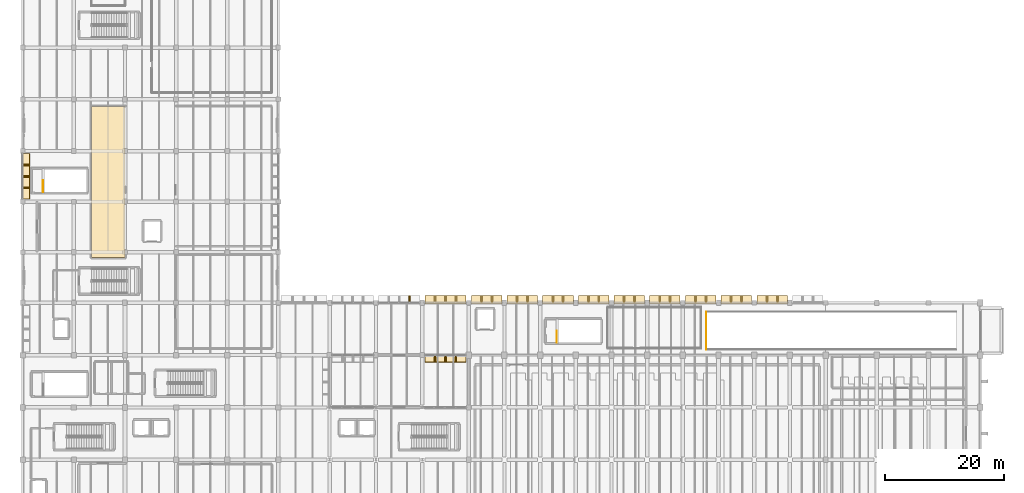
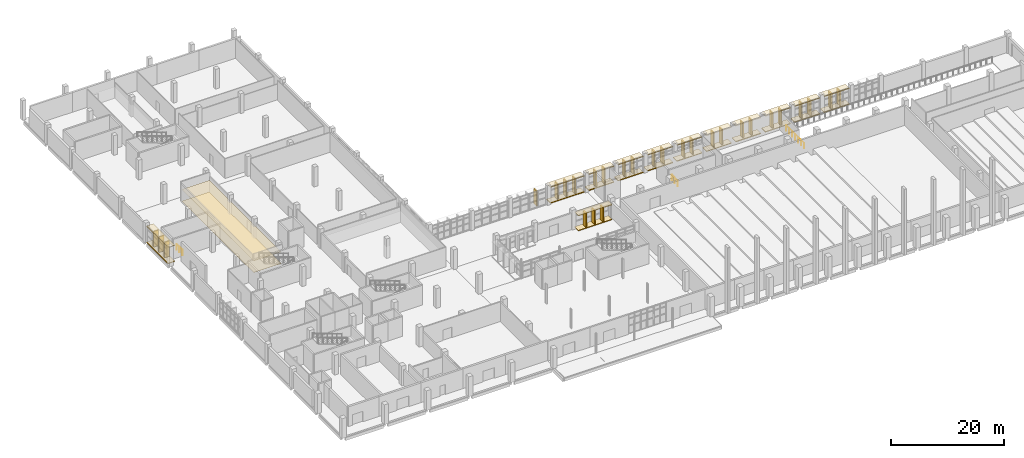
# One storey, part 72 of 76: 28 shading devices, 26 coverings, 3 railings.
"""IFC4 building model written with IfcOpenShell, lengths in metres."""

from ifc_helpers import new_model, si_unit, direction, frame, origin, origin_2d, place, context, subcontext, project, spatial, polyline, rectangle, circle, outline, extrude, material, layer, layer_set, type_object, element, save


model = new_model("IFC4")

# Units and contexts
model_context = context("Model", 3, precision=1e-05, world=origin(), true_north=direction((0.0, 1.0)))
body_context = subcontext(model_context, "Body", "Model", "MODEL_VIEW")
ifc_project = project(units=[si_unit("LENGTHUNIT", "METRE"), si_unit("AREAUNIT", "SQUARE_METRE"), si_unit("VOLUMEUNIT", "CUBIC_METRE"), si_unit("PLANEANGLEUNIT", "RADIAN"), si_unit("MASSUNIT", "GRAM", prefix="KILO")], contexts=[model_context])

# Site, building, storey
site_placement = place(None, origin())
site = spatial("IfcSite", under=ifc_project, at=site_placement, CompositionType="ELEMENT")
building_placement = place(site_placement, origin())
building = spatial("IfcBuilding", under=site, at=building_placement, Name="Varnakota Cinema and Media Centre", CompositionType="ELEMENT")
storey_placement = place(building_placement, origin())
storey = spatial("IfcBuildingStorey", under=building, at=storey_placement, Name="L00", CompositionType="ELEMENT", Elevation=0.0)

# Coverings
ifc_material_1 = material(Name="Autoclaved aerated concrete blockwork", Category="masonry")
ifc_layer_1 = layer(ifc_material_1, 0.06005859375)
ifc_layer_set_1 = layer_set([ifc_layer_1], Name="Autoclaved aerated concrete blockwork")
covering_type_1 = type_object("IfcCoveringType", Name="COV-ACOUST-CEIL-60", PredefinedType="CEILING", material=ifc_layer_set_1)
covering_1_placement = place(storey_placement, frame((0.0, 0.0, 2.5)))
element("IfcCovering", 1, at=covering_1_placement, inside=storey, type_object=covering_type_1, Name="L00 Foley and Acoustic Isolation Studio acoustic baffle ceiling", PredefinedType="CEILING", context=body_context, shape_type="SweptSolid", body=[
    extrude(outline(polyline([(11.60009765625, 51.60009765625), (17.199951171875, 51.60009765625), (17.199951171875, 77.0), (11.60009765625, 77.0), (11.60009765625, 51.60009765625)])), origin(), (0.0, 0.0, 1.0), 0.06005859375),
])
ifc_material_2 = material(Name="Precast concrete M40", Category="concrete")
ifc_layer_2 = layer(ifc_material_2, 0.159912109375)
ifc_layer_set_2 = layer_set([ifc_layer_2], Name="Precast concrete M40")
covering_type_2 = type_object("IfcCoveringType", Name="COV-CHAJJA-160", PredefinedType="CLADDING", material=ifc_layer_set_2)
covering_2_placement = place(storey_placement, frame((0.0, 0.0, 3.425048828125)))
element("IfcCovering", 2, at=covering_2_placement, inside=storey, type_object=covering_type_2, Name="L00 Brutalist chajja overhang V1-N-1", PredefinedType="CLADDING", context=body_context, shape_type="SweptSolid", body=[
    extrude(outline(polyline([(75.43994140625, 43.820068359375), (80.5849609375, 43.820068359375), (80.5849609375, 45.219970703125), (75.43994140625, 45.219970703125), (75.43994140625, 43.820068359375)])), origin(), (0.0, 0.0, 1.0), 0.159912109375),
])
covering_3_placement = place(storey_placement, origin())
element("IfcCovering", 3, at=covering_3_placement, inside=storey, type_object=covering_type_2, Name="L00 brise-soleil base plinth V1-N-1", PredefinedType="CLADDING", context=body_context, shape_type="SweptSolid", body=[
    extrude(outline(polyline([(75.43994140625, 43.820068359375), (80.5849609375, 43.820068359375), (80.5849609375, 45.179931640625), (75.43994140625, 45.179931640625), (75.43994140625, 43.820068359375)])), origin(), (0.0, 0.0, 1.0), 0.159912109375),
])
covering_4_placement = place(storey_placement, frame((0.0, 0.0, 3.425048828125)))
element("IfcCovering", 4, at=covering_4_placement, inside=storey, type_object=covering_type_2, Name="L00 Brutalist chajja overhang V1-N-2", PredefinedType="CLADDING", context=body_context, shape_type="SweptSolid", body=[
    extrude(outline(polyline([(81.4150390625, 43.820068359375), (86.56005859375, 43.820068359375), (86.56005859375, 45.219970703125), (81.4150390625, 45.219970703125), (81.4150390625, 43.820068359375)])), origin(), (0.0, 0.0, 1.0), 0.159912109375),
])
covering_5_placement = place(storey_placement, origin())
element("IfcCovering", 5, at=covering_5_placement, inside=storey, type_object=covering_type_2, Name="L00 brise-soleil base plinth V1-N-2", PredefinedType="CLADDING", context=body_context, shape_type="SweptSolid", body=[
    extrude(outline(polyline([(81.4150390625, 43.820068359375), (86.56005859375, 43.820068359375), (86.56005859375, 45.179931640625), (81.4150390625, 45.179931640625), (81.4150390625, 43.820068359375)])), origin(), (0.0, 0.0, 1.0), 0.159912109375),
])
covering_6_placement = place(storey_placement, frame((0.0, 0.0, 3.425048828125)))
element("IfcCovering", 6, at=covering_6_placement, inside=storey, type_object=covering_type_2, Name="L00 Brutalist chajja overhang V1-N-3", PredefinedType="CLADDING", context=body_context, shape_type="SweptSolid", body=[
    extrude(outline(polyline([(87.43994140625, 43.820068359375), (92.5849609375, 43.820068359375), (92.5849609375, 45.219970703125), (87.43994140625, 45.219970703125), (87.43994140625, 43.820068359375)])), origin(), (0.0, 0.0, 1.0), 0.159912109375),
])
covering_7_placement = place(storey_placement, origin())
element("IfcCovering", 7, at=covering_7_placement, inside=storey, type_object=covering_type_2, Name="L00 brise-soleil base plinth V1-N-3", PredefinedType="CLADDING", context=body_context, shape_type="SweptSolid", body=[
    extrude(outline(polyline([(87.43994140625, 43.820068359375), (92.5849609375, 43.820068359375), (92.5849609375, 45.179931640625), (87.43994140625, 45.179931640625), (87.43994140625, 43.820068359375)])), origin(), (0.0, 0.0, 1.0), 0.159912109375),
])
covering_8_placement = place(storey_placement, frame((0.0, 0.0, 3.425048828125)))
element("IfcCovering", 8, at=covering_8_placement, inside=storey, type_object=covering_type_2, Name="L00 Brutalist chajja overhang V1-N-4", PredefinedType="CLADDING", context=body_context, shape_type="SweptSolid", body=[
    extrude(outline(polyline([(93.4150390625, 43.820068359375), (98.56005859375, 43.820068359375), (98.56005859375, 45.219970703125), (93.4150390625, 45.219970703125), (93.4150390625, 43.820068359375)])), origin(), (0.0, 0.0, 1.0), 0.159912109375),
])
covering_9_placement = place(storey_placement, origin())
element("IfcCovering", 9, at=covering_9_placement, inside=storey, type_object=covering_type_2, Name="L00 brise-soleil base plinth V1-N-4", PredefinedType="CLADDING", context=body_context, shape_type="SweptSolid", body=[
    extrude(outline(polyline([(93.4150390625, 43.820068359375), (98.56005859375, 43.820068359375), (98.56005859375, 45.179931640625), (93.4150390625, 45.179931640625), (93.4150390625, 43.820068359375)])), origin(), (0.0, 0.0, 1.0), 0.159912109375),
])
covering_10_placement = place(storey_placement, frame((0.0, 0.0, 3.425048828125)))
element("IfcCovering", 10, at=covering_10_placement, inside=storey, type_object=covering_type_2, Name="L00 Brutalist chajja overhang V1-N-5", PredefinedType="CLADDING", context=body_context, shape_type="SweptSolid", body=[
    extrude(outline(polyline([(99.43994140625, 43.820068359375), (104.5849609375, 43.820068359375), (104.5849609375, 45.219970703125), (99.43994140625, 45.219970703125), (99.43994140625, 43.820068359375)])), origin(), (0.0, 0.0, 1.0), 0.159912109375),
])
covering_11_placement = place(storey_placement, origin())
element("IfcCovering", 11, at=covering_11_placement, inside=storey, type_object=covering_type_2, Name="L00 brise-soleil base plinth V1-N-5", PredefinedType="CLADDING", context=body_context, shape_type="SweptSolid", body=[
    extrude(outline(polyline([(99.43994140625, 43.820068359375), (104.5849609375, 43.820068359375), (104.5849609375, 45.179931640625), (99.43994140625, 45.179931640625), (99.43994140625, 43.820068359375)])), origin(), (0.0, 0.0, 1.0), 0.159912109375),
])
covering_12_placement = place(storey_placement, frame((0.0, 0.0, 3.425048828125)))
element("IfcCovering", 12, at=covering_12_placement, inside=storey, type_object=covering_type_2, Name="L00 Brutalist chajja overhang V1-N-6", PredefinedType="CLADDING", context=body_context, shape_type="SweptSolid", body=[
    extrude(outline(polyline([(105.4150390625, 43.820068359375), (110.56005859375, 43.820068359375), (110.56005859375, 45.219970703125), (105.4150390625, 45.219970703125), (105.4150390625, 43.820068359375)])), origin(), (0.0, 0.0, 1.0), 0.159912109375),
])
covering_13_placement = place(storey_placement, origin())
element("IfcCovering", 13, at=covering_13_placement, inside=storey, type_object=covering_type_2, Name="L00 brise-soleil base plinth V1-N-6", PredefinedType="CLADDING", context=body_context, shape_type="SweptSolid", body=[
    extrude(outline(polyline([(105.4150390625, 43.820068359375), (110.56005859375, 43.820068359375), (110.56005859375, 45.179931640625), (105.4150390625, 45.179931640625), (105.4150390625, 43.820068359375)])), origin(), (0.0, 0.0, 1.0), 0.159912109375),
])
covering_14_placement = place(storey_placement, frame((0.0, 0.0, 3.425048828125)))
element("IfcCovering", 14, at=covering_14_placement, inside=storey, type_object=covering_type_2, Name="L00 Brutalist chajja overhang V1-N-7", PredefinedType="CLADDING", context=body_context, shape_type="SweptSolid", body=[
    extrude(outline(polyline([(111.43994140625, 43.820068359375), (116.5849609375, 43.820068359375), (116.5849609375, 45.219970703125), (111.43994140625, 45.219970703125), (111.43994140625, 43.820068359375)])), origin(), (0.0, 0.0, 1.0), 0.159912109375),
])
covering_15_placement = place(storey_placement, origin())
element("IfcCovering", 15, at=covering_15_placement, inside=storey, type_object=covering_type_2, Name="L00 brise-soleil base plinth V1-N-7", PredefinedType="CLADDING", context=body_context, shape_type="SweptSolid", body=[
    extrude(outline(polyline([(111.43994140625, 43.820068359375), (116.5849609375, 43.820068359375), (116.5849609375, 45.179931640625), (111.43994140625, 45.179931640625), (111.43994140625, 43.820068359375)])), origin(), (0.0, 0.0, 1.0), 0.159912109375),
])
covering_16_placement = place(storey_placement, frame((0.0, 0.0, 3.425048828125)))
element("IfcCovering", 16, at=covering_16_placement, inside=storey, type_object=covering_type_2, Name="L00 Brutalist chajja overhang V1-N-8", PredefinedType="CLADDING", context=body_context, shape_type="SweptSolid", body=[
    extrude(outline(polyline([(117.4150390625, 43.820068359375), (122.56005859375, 43.820068359375), (122.56005859375, 45.219970703125), (117.4150390625, 45.219970703125), (117.4150390625, 43.820068359375)])), origin(), (0.0, 0.0, 1.0), 0.159912109375),
])
covering_17_placement = place(storey_placement, origin())
element("IfcCovering", 17, at=covering_17_placement, inside=storey, type_object=covering_type_2, Name="L00 brise-soleil base plinth V1-N-8", PredefinedType="CLADDING", context=body_context, shape_type="SweptSolid", body=[
    extrude(outline(polyline([(117.4150390625, 43.820068359375), (122.56005859375, 43.820068359375), (122.56005859375, 45.179931640625), (117.4150390625, 45.179931640625), (117.4150390625, 43.820068359375)])), origin(), (0.0, 0.0, 1.0), 0.159912109375),
])
covering_18_placement = place(storey_placement, frame((0.0, 0.0, 3.425048828125)))
element("IfcCovering", 18, at=covering_18_placement, inside=storey, type_object=covering_type_2, Name="L00 Brutalist chajja overhang V1-N-9", PredefinedType="CLADDING", context=body_context, shape_type="SweptSolid", body=[
    extrude(outline(polyline([(123.43994140625, 43.820068359375), (128.5849609375, 43.820068359375), (128.5849609375, 45.219970703125), (123.43994140625, 45.219970703125), (123.43994140625, 43.820068359375)])), origin(), (0.0, 0.0, 1.0), 0.159912109375),
])
covering_19_placement = place(storey_placement, origin())
element("IfcCovering", 19, at=covering_19_placement, inside=storey, type_object=covering_type_2, Name="L00 brise-soleil base plinth V1-N-9", PredefinedType="CLADDING", context=body_context, shape_type="SweptSolid", body=[
    extrude(outline(polyline([(123.43994140625, 43.820068359375), (128.5849609375, 43.820068359375), (128.5849609375, 45.179931640625), (123.43994140625, 45.179931640625), (123.43994140625, 43.820068359375)])), origin(), (0.0, 0.0, 1.0), 0.159912109375),
])
covering_20_placement = place(storey_placement, frame((0.0, 0.0, 3.425048828125)))
element("IfcCovering", 20, at=covering_20_placement, inside=storey, type_object=covering_type_2, Name="L00 Brutalist chajja overhang LINK-N-4", PredefinedType="CLADDING", context=body_context, shape_type="SweptSolid", body=[
    extrude(outline(polyline([(67.614990234375, 43.820068359375), (74.56005859375, 43.820068359375), (74.56005859375, 45.219970703125), (67.614990234375, 45.219970703125), (67.614990234375, 43.820068359375)])), origin(), (0.0, 0.0, 1.0), 0.159912109375),
])
covering_21_placement = place(storey_placement, origin())
element("IfcCovering", 21, at=covering_21_placement, inside=storey, type_object=covering_type_2, Name="L00 brise-soleil base plinth LINK-N-4", PredefinedType="CLADDING", context=body_context, shape_type="SweptSolid", body=[
    extrude(outline(polyline([(67.614990234375, 43.820068359375), (74.56005859375, 43.820068359375), (74.56005859375, 45.179931640625), (67.614990234375, 45.179931640625), (67.614990234375, 43.820068359375)])), origin(), (0.0, 0.0, 1.0), 0.159912109375),
])
covering_22_placement = place(storey_placement, frame((0.0, 0.0, 3.22509765625)))
element("IfcCovering", 22, at=covering_22_placement, inside=storey, type_object=covering_type_2, Name="L00 Brutalist chajja overhang LINK-S-1", PredefinedType="CLADDING", context=body_context, shape_type="SweptSolid", body=[
    extrude(outline(polyline([(74.510009765625, 35.3798828125), (67.639892578125, 35.3798828125), (67.639892578125, 33.97998046875), (74.510009765625, 33.97998046875), (74.510009765625, 35.3798828125)])), origin(), (0.0, 0.0, 1.0), 0.159912109375),
])
covering_23_placement = place(storey_placement, origin())
element("IfcCovering", 23, at=covering_23_placement, inside=storey, type_object=covering_type_2, Name="L00 brise-soleil base plinth LINK-S-1", PredefinedType="CLADDING", context=body_context, shape_type="SweptSolid", body=[
    extrude(outline(polyline([(74.510009765625, 35.3798828125), (67.639892578125, 35.3798828125), (67.639892578125, 34.02001953125), (74.510009765625, 34.02001953125), (74.510009765625, 35.3798828125)])), origin(), (0.0, 0.0, 1.0), 0.159912109375),
])
covering_24_placement = place(storey_placement, frame((0.0, 0.0, 3.47509765625)))
element("IfcCovering", 24, at=covering_24_placement, inside=storey, type_object=covering_type_2, Name="L00 Brutalist chajja overhang V5-W-N-2", PredefinedType="CLADDING", context=body_context, shape_type="SweptSolid", body=[
    extrude(outline(polyline([(-0.179931640625, 69.06005859375), (-0.179931640625, 61.465087890625), (1.219970703125, 61.465087890625), (1.219970703125, 69.06005859375), (-0.179931640625, 69.06005859375)])), origin(), (0.0, 0.0, 1.0), 0.159912109375),
])
covering_25_placement = place(storey_placement, origin())
element("IfcCovering", 25, at=covering_25_placement, inside=storey, type_object=covering_type_2, Name="L00 brise-soleil base plinth V5-W-N-2", PredefinedType="CLADDING", context=body_context, shape_type="SweptSolid", body=[
    extrude(outline(polyline([(-0.179931640625, 69.06005859375), (-0.179931640625, 61.465087890625), (1.179931640625, 61.465087890625), (1.179931640625, 69.06005859375), (-0.179931640625, 69.06005859375)])), origin(), (0.0, 0.0, 1.0), 0.159912109375),
])
ifc_material_3 = material(Name="Deccan grey granite ashlar", Category="masonry")
ifc_layer_3 = layer(ifc_material_3, 0.044921875)
ifc_layer_set_3 = layer_set([ifc_layer_3], Name="Deccan grey granite ashlar")
covering_type_3 = type_object("IfcCoveringType", Name="COV-STUDIO-FLR-45", PredefinedType="FLOORING", material=ifc_layer_set_3)
covering_26_placement = place(storey_placement, origin())
element("IfcCovering", 26, at=covering_26_placement, inside=storey, type_object=covering_type_3, Name="L00 Foley and Acoustic Isolation Studio isolated studio floor finish", PredefinedType="FLOORING", context=body_context, shape_type="SweptSolid", body=[
    extrude(outline(polyline([(11.60009765625, 51.60009765625), (17.199951171875, 51.60009765625), (17.199951171875, 77.0), (11.60009765625, 77.0), (11.60009765625, 51.60009765625)])), origin(), (0.0, 0.0, 1.0), 0.044921875),
])

# Railings
ifc_material_4 = material(Name="Anodised golden-bronze steel Grade 350 (E350)", Category="steel")
ifc_layer_4 = layer(ifc_material_4, 0.050048828125)
ifc_layer_set_4 = layer_set([ifc_layer_4], Name="Anodised golden-bronze steel Grade 350 (E350)")
railing_type_1 = type_object("IfcRailingType", Name="RAIL-GUARD-1150", PredefinedType="BALUSTRADE", material=ifc_layer_set_4)
railing_placement = place(storey_placement, frame((114.919921875, 36.14990234375, 0.0)))
element("IfcRailing", 27, at=railing_placement, inside=storey, type_object=railing_type_1, Name="L00 guard balustrade GRD-L00-RAMP-2", PredefinedType="BALUSTRADE", context=body_context, shape_type="SweptSolid", body=[
    extrude(circle(Radius=0.02392578125, at=origin_2d()), frame((0.0, 0.0, 1.1259765625), z_axis=(0.0, 1.0, 0.0), x_axis=(-1.0, 0.0, 0.0)), (0.0, 0.0, 1.0), 6.300048828125),
    extrude(circle(Radius=0.02099609375, at=origin_2d()), origin(), (0.0, 0.0, 1.0), 1.101806640625),
    extrude(circle(Radius=0.02099609375, at=origin_2d()), frame((0.0, 1.050048828125, 0.0)), (0.0, 0.0, 1.0), 1.101806640625),
    extrude(circle(Radius=0.02099609375, at=origin_2d()), frame((0.0, 2.10009765625, 0.0)), (0.0, 0.0, 1.0), 1.101806640625),
    extrude(circle(Radius=0.02099609375, at=origin_2d()), frame((0.0, 3.14990234375, 0.0)), (0.0, 0.0, 1.0), 1.101806640625),
    extrude(circle(Radius=0.02099609375, at=origin_2d()), frame((0.0, 4.199951171875, 0.0)), (0.0, 0.0, 1.0), 1.101806640625),
    extrude(circle(Radius=0.02099609375, at=origin_2d()), frame((0.0, 5.25, 0.0)), (0.0, 0.0, 1.0), 1.101806640625),
    extrude(circle(Radius=0.02099609375, at=origin_2d()), frame((0.0, 6.300048828125, 0.0)), (0.0, 0.0, 1.0), 1.101806640625),
])
ifc_material_5 = material(Name="Structural steel Grade 350 (E350)", Category="steel")
ifc_layer_5 = layer(ifc_material_5, 0.050048828125)
ifc_layer_set_5 = layer_set([ifc_layer_5], Name="Structural steel Grade 350 (E350)")
railing_type_2 = type_object("IfcRailingType", Name="RAIL-STAIR-GUARD-1150", PredefinedType="GUARDRAIL", material=ifc_layer_set_5)
for number, where, name in (
    (28, (89.800048828125, 37.300048828125, 0.0), "L00 ST-B2 top well guard 1"),
    (29, (3.39990234375, 62.60009765625, 0.0), "L00 ST-B3 top well guard 1"),
):
    element("IfcRailing", number, at=place(storey_placement, frame(where)), inside=storey, type_object=railing_type_2, Name=name, PredefinedType="GUARDRAIL", context=body_context, shape_type="SweptSolid", body=[
        extrude(circle(Radius=0.02392578125, at=origin_2d()), frame((0.0, 0.0, 1.1259765625), z_axis=(0.0, 1.0, 0.0), x_axis=(-1.0, 0.0, 0.0)), (0.0, 0.0, 1.0), 2.0),
        extrude(circle(Radius=0.02099609375, at=origin_2d()), origin(), (0.0, 0.0, 1.0), 1.101806640625),
        extrude(circle(Radius=0.02099609375, at=origin_2d()), frame((0.0, 1.0, 0.0)), (0.0, 0.0, 1.0), 1.101806640625),
        extrude(circle(Radius=0.02099609375, at=origin_2d()), frame((0.0, 2.0, 0.0)), (0.0, 0.0, 1.0), 1.101806640625),
    ])

# Shading devices
ifc_material_6 = material(Name="Precast concrete M40", Category="concrete")
shading_device_type = type_object("IfcShadingDeviceType", Name="SHD-BRISE-FIN-240", PredefinedType="JALOUSIE", material=ifc_material_6)
for number, where, z_axis, x_axis, name in (
    (30, (77.1416015625, 44.6298828125, 0.14990234375), (0.0, 0.0, 1.0), (1.0, 0.0, 0.0), "L00 vertical concrete brise-soleil fin V1-N-1.1"),
    (31, (78.88330078125, 44.6298828125, 0.14990234375), (0.0, 0.0, 1.0), (1.0, 0.0, 0.0), "L00 vertical concrete brise-soleil fin V1-N-1.2"),
    (32, (83.11669921875, 44.6298828125, 0.14990234375), (0.0, 0.0, 1.0), (1.0, 0.0, 0.0), "L00 vertical concrete brise-soleil fin V1-N-2.1"),
    (33, (84.8583984375, 44.6298828125, 0.14990234375), (0.0, 0.0, 1.0), (1.0, 0.0, 0.0), "L00 vertical concrete brise-soleil fin V1-N-2.2"),
    (34, (89.1416015625, 44.6298828125, 0.14990234375), (0.0, 0.0, 1.0), (1.0, 0.0, 0.0), "L00 vertical concrete brise-soleil fin V1-N-3.1"),
    (35, (90.88330078125, 44.6298828125, 0.14990234375), (0.0, 0.0, 1.0), (1.0, 0.0, 0.0), "L00 vertical concrete brise-soleil fin V1-N-3.2"),
    (36, (95.11669921875, 44.6298828125, 0.14990234375), (0.0, 0.0, 1.0), (1.0, 0.0, 0.0), "L00 vertical concrete brise-soleil fin V1-N-4.1"),
    (37, (96.8583984375, 44.6298828125, 0.14990234375), (0.0, 0.0, 1.0), (1.0, 0.0, 0.0), "L00 vertical concrete brise-soleil fin V1-N-4.2"),
    (38, (101.1416015625, 44.6298828125, 0.14990234375), (0.0, 0.0, 1.0), (1.0, 0.0, 0.0), "L00 vertical concrete brise-soleil fin V1-N-5.1"),
    (39, (102.88330078125, 44.6298828125, 0.14990234375), (0.0, 0.0, 1.0), (1.0, 0.0, 0.0), "L00 vertical concrete brise-soleil fin V1-N-5.2"),
    (40, (107.11669921875, 44.6298828125, 0.14990234375), (0.0, 0.0, 1.0), (1.0, 0.0, 0.0), "L00 vertical concrete brise-soleil fin V1-N-6.1"),
    (41, (108.8583984375, 44.6298828125, 0.14990234375), (0.0, 0.0, 1.0), (1.0, 0.0, 0.0), "L00 vertical concrete brise-soleil fin V1-N-6.2"),
    (42, (113.1416015625, 44.6298828125, 0.14990234375), (0.0, 0.0, 1.0), (1.0, 0.0, 0.0), "L00 vertical concrete brise-soleil fin V1-N-7.1"),
    (43, (114.88330078125, 44.6298828125, 0.14990234375), (0.0, 0.0, 1.0), (1.0, 0.0, 0.0), "L00 vertical concrete brise-soleil fin V1-N-7.2"),
    (44, (119.11669921875, 44.6298828125, 0.14990234375), (0.0, 0.0, 1.0), (1.0, 0.0, 0.0), "L00 vertical concrete brise-soleil fin V1-N-8.1"),
    (45, (120.8583984375, 44.6298828125, 0.14990234375), (0.0, 0.0, 1.0), (1.0, 0.0, 0.0), "L00 vertical concrete brise-soleil fin V1-N-8.2"),
    (46, (125.1416015625, 44.6298828125, 0.14990234375), (0.0, 0.0, 1.0), (1.0, 0.0, 0.0), "L00 vertical concrete brise-soleil fin V1-N-9.1"),
    (47, (126.88330078125, 44.6298828125, 0.14990234375), (0.0, 0.0, 1.0), (1.0, 0.0, 0.0), "L00 vertical concrete brise-soleil fin V1-N-9.2"),
    (48, (65.06884765625, 44.6298828125, 0.14990234375), (0.0, 0.0, 1.0), (1.0, 0.0, 0.0), "L00 vertical concrete brise-soleil fin LINK-N-3.3"),
    (49, (69.331298828125, 44.6298828125, 0.14990234375), (0.0, 0.0, 1.0), (1.0, 0.0, 0.0), "L00 vertical concrete brise-soleil fin LINK-N-4.1"),
    (50, (71.08740234375, 44.6298828125, 0.14990234375), (0.0, 0.0, 1.0), (1.0, 0.0, 0.0), "L00 vertical concrete brise-soleil fin LINK-N-4.2"),
    (51, (72.84375, 44.6298828125, 0.14990234375), (0.0, 0.0, 1.0), (1.0, 0.0, 0.0), "L00 vertical concrete brise-soleil fin LINK-N-4.3"),
):
    element("IfcShadingDevice", number, at=place(storey_placement, frame(where, z_axis=z_axis, x_axis=x_axis)), inside=storey, type_object=shading_device_type, Name=name, PredefinedType="JALOUSIE", context=body_context, shape_type="SweptSolid", body=[
        extrude(rectangle(XDim=0.239990234375, YDim=1.02001953125, at=origin_2d()), origin(), (0.0, 0.0, 1.0), 3.284912109375),
    ])
for number, where, z_axis, x_axis, name in (
    (52, (72.8125, 34.570068359375, 0.14990234375), (0.0, 0.0, 1.0), (-1.0, 0.0, 0.0), "L00 vertical concrete brise-soleil fin LINK-S-1.1"),
    (53, (71.074951171875, 34.570068359375, 0.14990234375), (0.0, 0.0, 1.0), (-1.0, 0.0, 0.0), "L00 vertical concrete brise-soleil fin LINK-S-1.2"),
    (54, (69.33740234375, 34.570068359375, 0.14990234375), (0.0, 0.0, 1.0), (-1.0, 0.0, 0.0), "L00 vertical concrete brise-soleil fin LINK-S-1.3"),
):
    element("IfcShadingDevice", number, at=place(storey_placement, frame(where, z_axis=z_axis, x_axis=x_axis)), inside=storey, type_object=shading_device_type, Name=name, PredefinedType="JALOUSIE", context=body_context, shape_type="SweptSolid", body=[
        extrude(rectangle(XDim=0.239990234375, YDim=1.02001953125, at=origin_2d()), origin(), (0.0, 0.0, 1.0), 3.0849609375),
    ])
for number, where, z_axis, x_axis, name in (
    (55, (0.6298828125, 67.181396484375, 0.14990234375), (0.0, 0.0, 1.0), (0.0, -1.0, 0.0), "L00 vertical concrete brise-soleil fin V5-W-N-2.1"),
    (56, (0.6298828125, 65.262451171875, 0.14990234375), (0.0, 0.0, 1.0), (0.0, -1.0, 0.0), "L00 vertical concrete brise-soleil fin V5-W-N-2.2"),
    (57, (0.6298828125, 63.34375, 0.14990234375), (0.0, 0.0, 1.0), (0.0, -1.0, 0.0), "L00 vertical concrete brise-soleil fin V5-W-N-2.3"),
):
    element("IfcShadingDevice", number, at=place(storey_placement, frame(where, z_axis=z_axis, x_axis=x_axis)), inside=storey, type_object=shading_device_type, Name=name, PredefinedType="JALOUSIE", context=body_context, shape_type="SweptSolid", body=[
        extrude(rectangle(XDim=0.239990234375, YDim=1.02001953125, at=origin_2d()), origin(), (0.0, 0.0, 1.0), 3.3349609375),
    ])

save(model, "model.ifc")
